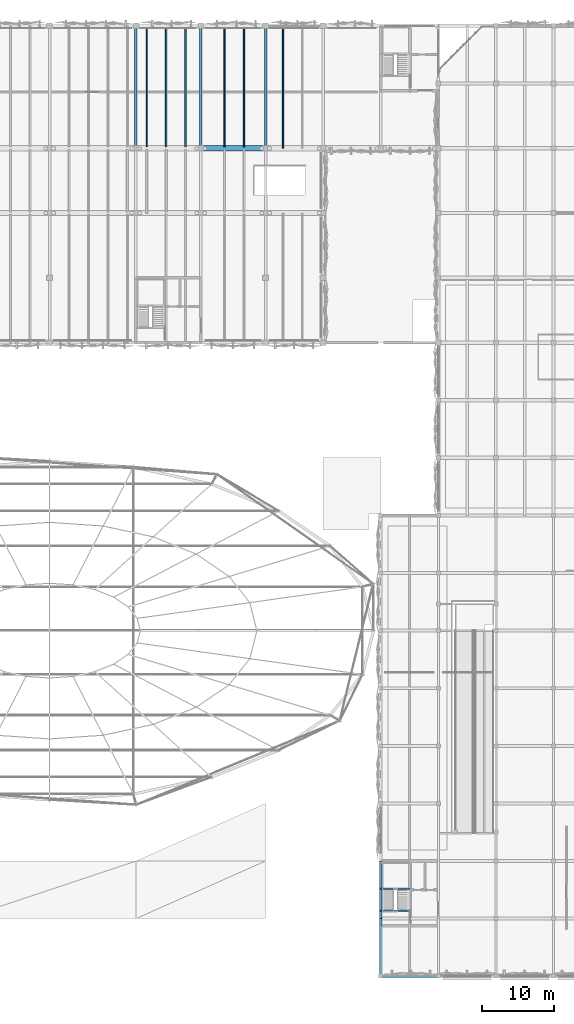
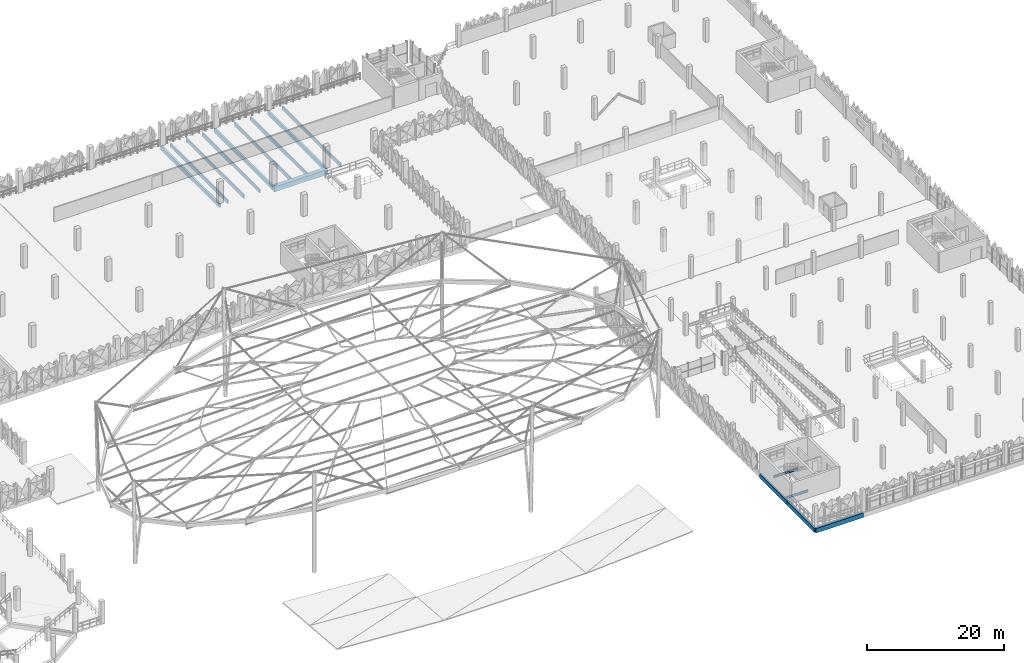
# One storey, part 18 of 96: 15 beams.
"""IFC4 building model written with IfcOpenShell, lengths in metres."""

from ifc_helpers import new_model, si_unit, derived_unit, direction, frame, origin, origin_2d, place, context, subcontext, project, spatial, rectangle, i_section, extrude, material, material_profile, profile_set, type_object, element, save


model = new_model("IFC4")

# Units and contexts
model_context = context("Model", 3, precision=1e-05, world=origin(), true_north=direction((0.0, 1.0)))
body_context = subcontext(model_context, "Body", "Model", "MODEL_VIEW")
ifc_project = project(units=[si_unit("LENGTHUNIT", "METRE"), si_unit("AREAUNIT", "SQUARE_METRE"), si_unit("VOLUMEUNIT", "CUBIC_METRE"), si_unit("PLANEANGLEUNIT", "RADIAN"), si_unit("MASSUNIT", "GRAM", prefix="KILO"), si_unit("THERMODYNAMICTEMPERATUREUNIT", "KELVIN"), derived_unit("THERMALTRANSMITTANCEUNIT", [(si_unit("POWERUNIT", "WATT"), 1), (si_unit("AREAUNIT", "SQUARE_METRE"), -1), (si_unit("THERMODYNAMICTEMPERATUREUNIT", "KELVIN"), -1)])], contexts=[model_context])

# Site, building, storey
site_placement = place(None, origin())
site = spatial("IfcSite", under=ifc_project, at=site_placement, CompositionType="ELEMENT")
building_placement = place(site_placement, origin())
building = spatial("IfcBuilding", under=site, at=building_placement, Name="Haiyu Intermodal Mobility Hub", CompositionType="ELEMENT")
storey_placement = place(building_placement, frame((0.0, 0.0, 9.5)))
storey = spatial("IfcBuildingStorey", under=building, at=storey_placement, Name="L02", CompositionType="ELEMENT", Elevation=9.5)

# Beams
ifc_material_1 = material(Name="Concrete C40", Category="concrete")
ifc_material_profile_1 = material_profile(ifc_material_1, rectangle(XDim=0.35009765625, YDim=0.64990234375, at=origin_2d()), Name="RCB350x650")
ifc_profile_set_1 = profile_set([ifc_material_profile_1], Name="Concrete C40")
beam_type_1 = type_object("IfcBeamType", Name="BM-CB04", PredefinedType="BEAM", material=ifc_profile_set_1)
for number, where, z_axis, x_axis, name in (
    (1, (120.0, 131.0, -0.60009765625), (0.0, 1.0, 0.0), (-1.0, 0.0, 0.0), "BM-V4E-L02-032"),
    (2, (129.0, 131.0, -0.60009765625), (0.0, 1.0, 0.0), (-1.0, 0.0, 0.0), "BM-V4E-L02-035"),
    (3, (138.0, 131.0, -0.60009765625), (0.0, 1.0, 0.0), (-1.0, 0.0, 0.0), "BM-V4E-L02-038"),
):
    element("IfcBeam", number, at=place(storey_placement, frame(where, z_axis=z_axis, x_axis=x_axis)), inside=storey, type_object=beam_type_1, Name=name, PredefinedType="BEAM", context=body_context, shape_type="SweptSolid", body=[
        extrude(rectangle(XDim=0.35009765625, YDim=0.64990234375, at=origin_2d()), origin(), (0.0, 0.0, 1.0), 17.0),
    ])
ifc_material_profile_2 = material_profile(ifc_material_1, rectangle(XDim=0.39990234375, YDim=0.800048828125, at=origin_2d()), Name="RCB400x800")
ifc_profile_set_2 = profile_set([ifc_material_profile_2], Name="Concrete C40")
beam_type_2 = type_object("IfcBeamType", Name="BM-CB05", PredefinedType="BEAM", material=ifc_profile_set_2)
beam_1_placement = place(storey_placement, frame((154.0, 16.0, -0.659912109375), z_axis=(1.0, 0.0, 0.0), x_axis=(0.0, 1.0, 0.0)))
element("IfcBeam", 4, at=beam_1_placement, inside=storey, type_object=beam_type_2, Name="BM-V5G-L02-001", PredefinedType="BEAM", context=body_context, shape_type="SweptSolid", body=[
    extrude(rectangle(XDim=0.39990234375, YDim=0.800048828125, at=origin_2d()), origin(), (0.0, 0.0, 1.0), 8.0),
])
ifc_material_profile_3 = material_profile(ifc_material_1, rectangle(XDim=0.35009765625, YDim=0.699951171875, at=origin_2d()), Name="RCB350x700")
ifc_profile_set_3 = profile_set([ifc_material_profile_3], Name="Concrete C40")
beam_type_3 = type_object("IfcBeamType", Name="BM-CB06", PredefinedType="BEAM", material=ifc_profile_set_3)
for number, where, z_axis, x_axis, name in (
    (5, (154.0, 16.0, -0.610107421875), (0.0, 1.0, 0.0), (-1.0, 0.0, 0.0), "BM-V5T-L02-001"),
    (6, (154.0, 24.0, -0.610107421875), (0.0, 1.0, 0.0), (-1.0, 0.0, 0.0), "BM-V5T-L02-002"),
):
    element("IfcBeam", number, at=place(storey_placement, frame(where, z_axis=z_axis, x_axis=x_axis)), inside=storey, type_object=beam_type_3, Name=name, PredefinedType="BEAM", context=body_context, shape_type="SweptSolid", body=[
        extrude(rectangle(XDim=0.35009765625, YDim=0.699951171875, at=origin_2d()), origin(), (0.0, 0.0, 1.0), 8.0),
    ])
ifc_material_2 = material(Name="Precast concrete C50", Category="concrete")
ifc_material_profile_4 = material_profile(ifc_material_2, rectangle(XDim=0.199951171875, YDim=0.659912109375, at=origin_2d()), Name="PC200x660")
ifc_profile_set_4 = profile_set([ifc_material_profile_4], Name="Precast concrete C50")
beam_type_4 = type_object("IfcBeamType", Name="BM-DT03", PredefinedType="JOIST", material=ifc_profile_set_4)
for number, where, z_axis, x_axis, name in (
    (7, (121.5, 131.195068359375, -0.60498046875), (0.0, 1.0, 0.0), (-1.0, 0.0, 0.0), "BM-DT-L02-070"),
    (8, (124.199951171875, 131.195068359375, -0.60498046875), (0.0, 1.0, 0.0), (-1.0, 0.0, 0.0), "BM-DT-L02-073"),
    (9, (126.89990234375, 131.195068359375, -0.60498046875), (0.0, 1.0, 0.0), (-1.0, 0.0, 0.0), "BM-DT-L02-076"),
    (10, (132.300048828125, 131.195068359375, -0.60498046875), (0.0, 1.0, 0.0), (-1.0, 0.0, 0.0), "BM-DT-L02-079"),
    (11, (135.0, 131.195068359375, -0.60498046875), (0.0, 1.0, 0.0), (-1.0, 0.0, 0.0), "BM-DT-L02-082"),
):
    element("IfcBeam", number, at=place(storey_placement, frame(where, z_axis=z_axis, x_axis=x_axis)), inside=storey, type_object=beam_type_4, Name=name, PredefinedType="JOIST", context=body_context, shape_type="SweptSolid", body=[
        extrude(rectangle(XDim=0.199951171875, YDim=0.659912109375, at=origin_2d()), origin(), (0.0, 0.0, 1.0), 16.804931640625),
    ])
beam_2_placement = place(storey_placement, frame((140.39990234375, 131.0, -0.60498046875), z_axis=(0.0, 1.0, 0.0), x_axis=(-1.0, 0.0, 0.0)))
element("IfcBeam", 12, at=beam_2_placement, inside=storey, type_object=beam_type_4, Name="BM-DT-L02-084", PredefinedType="JOIST", context=body_context, shape_type="SweptSolid", body=[
    extrude(rectangle(XDim=0.199951171875, YDim=0.659912109375, at=origin_2d()), origin(), (0.0, 0.0, 1.0), 17.0),
])
ifc_material_profile_5 = material_profile(ifc_material_2, rectangle(XDim=0.719970703125, YDim=0.8798828125, at=origin_2d()), Name="B720x880")
ifc_profile_set_5 = profile_set([ifc_material_profile_5], Name="Precast concrete C50")
beam_type_5 = type_object("IfcBeamType", Name="BM-IT04", PredefinedType="T_BEAM", material=ifc_profile_set_5)
beam_3_placement = place(storey_placement, frame((129.0, 131.0, -0.715087890625), z_axis=(1.0, 0.0, 0.0), x_axis=(0.0, 1.0, 0.0)))
element("IfcBeam", 13, at=beam_3_placement, inside=storey, type_object=beam_type_5, Name="BM-V4G-L02-037", PredefinedType="T_BEAM", context=body_context, shape_type="SweptSolid", body=[
    extrude(rectangle(XDim=0.719970703125, YDim=0.8798828125, at=origin_2d()), origin(), (0.0, 0.0, 1.0), 9.0),
])
ifc_material_3 = material(Name="Steel Q355C", Category="steel")
ifc_material_profile_6 = material_profile(ifc_material_3, i_section(OverallWidth=0.199951171875, OverallDepth=0.39990234375, WebThickness=0.008056640625, FlangeThickness=0.012939453125, FilletRadius=0.01611328125, at=origin_2d()), Name="HN400x200x8x13")
ifc_profile_set_6 = profile_set([ifc_material_profile_6], Name="Steel Q355C")
beam_type_6 = type_object("IfcBeamType", Name="BM-SB08", PredefinedType="JOIST", material=ifc_profile_set_6)
for number, where, z_axis, x_axis, name in (
    (14, (154.0, 25.10009765625, -0.52490234375), (1.0, 0.0, 0.0), (0.0, 1.0, 0.0), "Stair Arrival Trimmer Beam C8-L01"),
    (15, (154.0, 28.1298828125, 1.52490234375), (1.0, 0.0, 0.0), (0.0, 1.0, 0.0), "Stair Half-Landing Front Beam C8-L02"),
):
    element("IfcBeam", number, at=place(storey_placement, frame(where, z_axis=z_axis, x_axis=x_axis)), inside=storey, type_object=beam_type_6, Name=name, PredefinedType="JOIST", context=body_context, shape_type="SweptSolid", body=[
        extrude(i_section(OverallWidth=0.199951171875, OverallDepth=0.39990234375, WebThickness=0.008056640625, FlangeThickness=0.012939453125, FilletRadius=0.01611328125, at=origin_2d()), origin(), (0.0, 0.0, 1.0), 4.050048828125),
    ])

save(model, "model.ifc")
